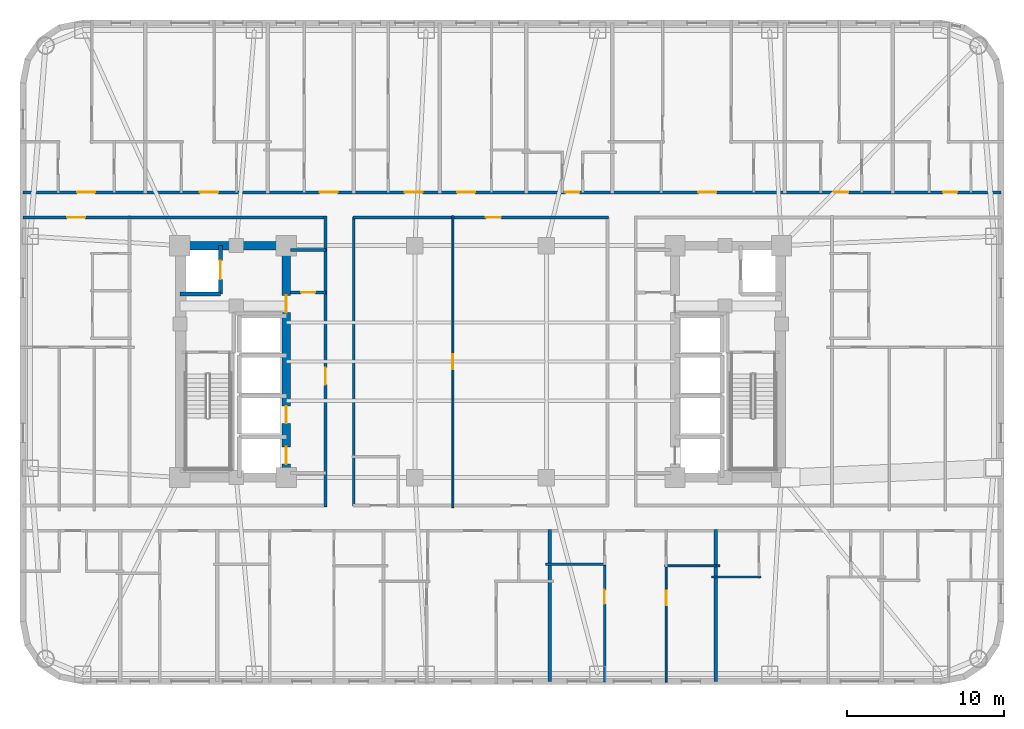
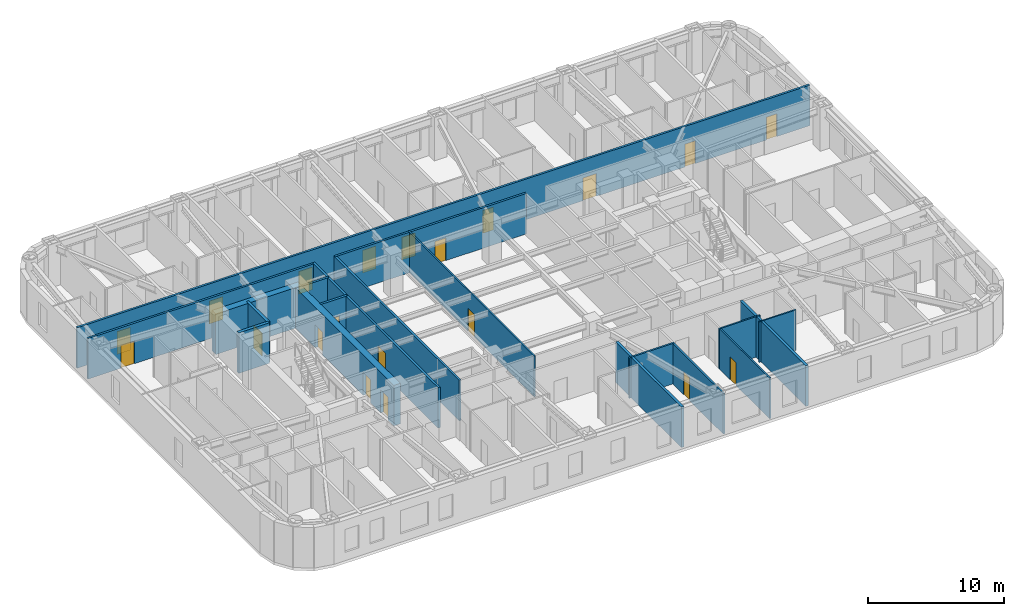
# One storey, part 5 of 12: 20 doors, 19 walls, 20 openings.
"""IFC4 building model written with IfcOpenShell, lengths in metres."""

import ifcopenshell
import ifcopenshell.guid

model = None  # the IFC model being written
_history = None  # IfcOwnerHistory: only IFC2X3 demands one
_inside = {}  # id of a spatial element -> (the spatial element, [elements in it])
_under = {}  # id of a project, library or spatial element -> (it, [spatial elements below it])
_declared = {}  # id of a project -> (the project, [libraries it declares])
_typed = {}  # id of a type object -> (the type object, [elements of that type])
_made_of = {}  # id of a material, layer set ... -> (it, [elements and type objects made of it])


def new_model(schema):
    """Start an empty IFC model of exactly this schema.

    Asked for "IFC4X3", IfcOpenShell would pick the latest addendum, in which some entities
    have other attributes; the version numbers below select the first issue.
    IFC2X3 requires an IfcOwnerHistory on every rooted entity: one is made here for all.
    """
    global model, _history
    if schema == "IFC4X3":
        model = ifcopenshell.file(schema_version=(4, 3, 0, 0))
    else:
        model = ifcopenshell.file(schema=schema)
    _inside.clear()
    _under.clear()
    _declared.clear()
    _typed.clear()
    _made_of.clear()
    _history = None
    if model.schema == "IFC2X3":
        org = make("IfcOrganization", Name="unknown")
        user = make(
            "IfcPersonAndOrganization",
            ThePerson=make("IfcPerson", FamilyName="unknown"),
            TheOrganization=org,
        )
        app = make(
            "IfcApplication",
            ApplicationDeveloper=org,
            Version="unknown",
            ApplicationFullName="unknown",
            ApplicationIdentifier="unknown",
        )
        _history = make(
            "IfcOwnerHistory",
            OwningUser=user,
            OwningApplication=app,
            ChangeAction="ADDED",
            CreationDate=0,
        )
    return model


def make(cls, **values):
    """One entity of the class cls with the attributes given. An attribute that is None is left unset."""
    return model.create_entity(
        cls, **{name: value for name, value in values.items() if value is not None}
    )


def rooted(cls, **values):
    """An entity with a GlobalId (a new one), such as an element, a storey or a relation."""
    return make(cls, GlobalId=ifcopenshell.guid.new(), OwnerHistory=_history, **values)


def si_unit(unit_type, name, prefix=None):
    """IfcSIUnit, for example si_unit("LENGTHUNIT", "METRE", prefix="MILLI")."""
    return make("IfcSIUnit", UnitType=unit_type, Prefix=prefix, Name=name)


def assignment(units):
    """IfcUnitAssignment: the units of a project."""
    return None if units is None else make("IfcUnitAssignment", Units=units)


def point(xyz):
    """IfcCartesianPoint."""
    return None if xyz is None else make("IfcCartesianPoint", Coordinates=xyz)


def direction(xyz):
    """IfcDirection."""
    return None if xyz is None else make("IfcDirection", DirectionRatios=xyz)


def frame(location, z_axis=None, x_axis=None):
    """IfcAxis2Placement3D, a coordinate frame: its origin and axes. An axis left out is left unset."""
    return make(
        "IfcAxis2Placement3D",
        Location=point(location),
        Axis=direction(z_axis),
        RefDirection=direction(x_axis),
    )


def frame_2d(location, x_axis=None):
    """IfcAxis2Placement2D, a coordinate frame in the plane: its origin and x axis."""
    return make(
        "IfcAxis2Placement2D", Location=point(location), RefDirection=direction(x_axis)
    )


def origin():
    """The frame at (0, 0, 0) with its axes left unset."""
    return frame((0.0, 0.0, 0.0))


def place(relative_to, where):
    """IfcLocalPlacement: puts the frame where relative to a parent placement (None: the world)."""
    return make(
        "IfcLocalPlacement", PlacementRelTo=relative_to, RelativePlacement=where
    )


def context(
    kind, dimensions, precision=None, world=None, true_north=None, identifier=None
):
    """IfcGeometricRepresentationContext, for example the 3D "Model" context."""
    return make(
        "IfcGeometricRepresentationContext",
        ContextIdentifier=identifier,
        ContextType=kind,
        CoordinateSpaceDimension=dimensions,
        Precision=precision,
        WorldCoordinateSystem=world,
        TrueNorth=true_north,
    )


def subcontext(parent, identifier, kind, view, scale=None):
    """IfcGeometricRepresentationSubContext, for example "Body" below "Model"."""
    return make(
        "IfcGeometricRepresentationSubContext",
        ContextIdentifier=identifier,
        ContextType=kind,
        ParentContext=parent,
        TargetScale=scale,
        TargetView=view,
    )


def project(units=None, contexts=None):
    """IfcProject with its units and contexts."""
    return rooted(
        "IfcProject",
        Name="project",
        RepresentationContexts=contexts,
        UnitsInContext=assignment(units),
    )


def spatial(cls, under=None, at=None, **own):
    """A site, building, storey or space (cls), placed at a placement, below another one or the project."""
    s = rooted(cls, ObjectPlacement=at, **own)
    if under is not None:
        _under.setdefault(under.id(), (under, []))[1].append(s)
    return s


def profile(cls, at=None, kind="AREA", **sizes):
    """A parametric profile (cls). Its sizes go by their IFC names, for example OverallWidth=200.0."""
    return make(cls, ProfileType=kind, Position=at, **sizes)


def rectangle(**sizes):
    """IfcRectangleProfileDef."""
    return profile("IfcRectangleProfileDef", **sizes)


def extrude(swept, where, along, depth):
    """IfcExtrudedAreaSolid: the profile swept, set in the frame where, extruded along a direction by depth."""
    return make(
        "IfcExtrudedAreaSolid",
        SweptArea=swept,
        Position=where,
        ExtrudedDirection=direction(along),
        Depth=depth,
    )


def shape(context_of_items, identifier, shape_type, items):
    """IfcShapeRepresentation: the items that make up one representation, for example the "Body"."""
    return make(
        "IfcShapeRepresentation",
        ContextOfItems=context_of_items,
        RepresentationIdentifier=identifier,
        RepresentationType=shape_type,
        Items=items,
    )


def material(Name=None, Category=None):
    """IfcMaterial."""
    return make("IfcMaterial", Name=Name, Category=Category)


def layer(
    of_material, thickness, ventilated=None, Name=None, Category=None, Priority=None
):
    """IfcMaterialLayer: one layer of a wall or slab, of a material (None: an air gap)."""
    return make(
        "IfcMaterialLayer",
        Material=of_material,
        LayerThickness=thickness,
        IsVentilated=ventilated,
        Name=Name,
        Category=Category,
        Priority=Priority,
    )


def layer_set(layers, Name=None):
    """IfcMaterialLayerSet."""
    return make("IfcMaterialLayerSet", MaterialLayers=layers, LayerSetName=Name)


def made_of(thing, what):
    """Note that an element or type object is made of a material, layer set ...; save() writes the relation."""
    if what is not None:
        _made_of.setdefault(what.id(), (what, []))[1].append(thing)
    return thing


def type_object(cls, material=None, **own):
    """A type object (cls), such as IfcWallType, which elements share."""
    return made_of(rooted(cls, **own), material)


def element(
    cls,
    number,
    at=None,
    inside=None,
    cuts=None,
    type_object=None,
    material=None,
    context=None,
    identifier="Body",
    shape_type=None,
    held_by="IfcProductDefinitionShape",
    body=None,
    shapes=None,
    **own,
):
    """One element of the class cls, such as IfcWall. Its Tag is "e" and its number.

    at: its placement. inside: the storey or other place that contains it. cuts: it is an
    opening in that element (IfcRelVoidsElement). A single representation is given by context,
    identifier, shape_type and body (its items); several are given by shapes. held_by: the class
    of the entity that holds the representations. save() writes the other relations.
    """
    e = rooted(cls, Tag="e%d" % number, ObjectPlacement=at, **own)
    if body is not None:
        shapes = [shape(context, identifier, shape_type, body)]
    if shapes is not None:
        e.Representation = make(held_by, Representations=shapes)
    if inside is not None:
        _inside.setdefault(inside.id(), (inside, []))[1].append(e)
    if cuts is not None:
        rooted(
            "IfcRelVoidsElement", RelatingBuildingElement=cuts, RelatedOpeningElement=e
        )
    if type_object is not None:
        _typed.setdefault(type_object.id(), (type_object, []))[1].append(e)
    return made_of(e, material)


def fill(opening, filler):
    """IfcRelFillsElement: the door or window that sits in an opening."""
    return rooted(
        "IfcRelFillsElement",
        RelatingOpeningElement=opening,
        RelatedBuildingElement=filler,
    )


def aggregate(whole, parts):
    """IfcRelAggregates: a whole, such as a stair, and the parts it consists of."""
    return rooted("IfcRelAggregates", RelatingObject=whole, RelatedObjects=parts)


def save(model, path):
    """Write the relations noted so far, then the file.

    IfcRelAggregates (storeys below a building ...), IfcRelContainedInSpatialStructure (elements
    in a storey), IfcRelDefinesByType, IfcRelAssociatesMaterial and IfcRelDeclares: one each for
    every whole, place, type object, material and project.
    """
    for whole, parts in _under.values():
        aggregate(whole, parts)
    for where, things in _inside.values():
        rooted(
            "IfcRelContainedInSpatialStructure",
            RelatedElements=things,
            RelatingStructure=where,
        )
    for kind, things in _typed.values():
        rooted("IfcRelDefinesByType", RelatedObjects=things, RelatingType=kind)
    for what, things in _made_of.values():
        rooted("IfcRelAssociatesMaterial", RelatedObjects=things, RelatingMaterial=what)
    for by, libraries in _declared.values():
        rooted("IfcRelDeclares", RelatingContext=by, RelatedDefinitions=libraries)
    model.write(path)


model = new_model("IFC4")

# Units and contexts
model_context = context("Model", 3, precision=1e-05, world=origin(), true_north=direction((0.0, 1.0)))
body_context = subcontext(model_context, "Body", "Model", "MODEL_VIEW")
ifc_project = project(units=[si_unit("LENGTHUNIT", "METRE"), si_unit("AREAUNIT", "SQUARE_METRE"), si_unit("VOLUMEUNIT", "CUBIC_METRE"), si_unit("PLANEANGLEUNIT", "RADIAN"), si_unit("MASSUNIT", "GRAM", prefix="KILO")], contexts=[model_context])

# Site, building, storey
site_placement = place(None, origin())
site = spatial("IfcSite", under=ifc_project, at=site_placement, CompositionType="ELEMENT")
building_placement = place(site_placement, origin())
building = spatial("IfcBuilding", under=site, at=building_placement, Name="Voryun Gate Residences", CompositionType="ELEMENT")
storey_placement = place(building_placement, frame((0.0, 0.0, 132.60009765625)))
storey = spatial("IfcBuildingStorey", under=building, at=storey_placement, Name="L32", CompositionType="ELEMENT", Elevation=132.60009765625)

# Wall
ifc_material_1 = material(Name="Concrete C60/75", Category="concrete")
ifc_layer_1 = layer(ifc_material_1, 0.550048828125, Name="CW_CORE_550")
ifc_layer_set_1 = layer_set([ifc_layer_1], Name="Concrete C60/75")
wall_type_1 = type_object("IfcWallType", Name="CW_CORE_550", PredefinedType="SHEAR", material=ifc_layer_set_1)
wall_1_placement = place(storey_placement, frame((-19.47509765625, 7.39990234375, 0.0), z_axis=(0.0, 0.0, 1.0), x_axis=(1.0, 0.0, 0.0)))
element("IfcWall", 1, at=wall_1_placement, inside=storey, type_object=wall_type_1, Name="L32 Core shear wall CW-L32-WN", PredefinedType="SHEAR", context=body_context, shape_type="SweptSolid", body=[
    extrude(rectangle(XDim=7.35009765625, YDim=0.550048828125, at=frame_2d((3.675048828125, 0.0))), origin(), (0.0, 0.0, 1.0), 3.64990234375),
])

# Wall, openings, doors
wall_2_placement = place(storey_placement, frame((-12.39990234375, -7.39990234375, 0.0), z_axis=(0.0, 0.0, 1.0), x_axis=(0.0, 1.0, 0.0)))
wall_2 = element("IfcWall", 2, at=wall_2_placement, inside=storey, type_object=wall_type_1, Name="L32 Core shear wall CW-L32-WE", PredefinedType="SHEAR", context=body_context, shape_type="SweptSolid", body=[
    extrude(rectangle(XDim=14.7998046875, YDim=0.550048828125, at=frame_2d((7.39990234375, 0.0))), origin(), (0.0, 0.0, 1.0), 3.64990234375),
])
opening_1_placement = place(wall_2_placement, frame((0.85009765625, 0.0, 0.0)))
opening_1 = element("IfcOpeningElement", 3, at=opening_1_placement, cuts=wall_2, Name="Opening LD2", PredefinedType="OPENING", context=body_context, shape_type="SweptSolid", body=[
    extrude(rectangle(XDim=1.10009765625, YDim=2.050048828125, at=frame_2d((0.550048828125, 1.02490234375))), frame((0.0, 0.284912109375, 0.0), z_axis=(0.0, -1.0, 0.0), x_axis=(1.0, 0.0, 0.0)), (0.0, 0.0, 1.0), 0.570068359375),
])
opening_2_placement = place(wall_2_placement, frame((3.449951171875, 0.0, 0.0)))
opening_2 = element("IfcOpeningElement", 4, at=opening_2_placement, cuts=wall_2, Name="Opening LD2", PredefinedType="OPENING", context=body_context, shape_type="SweptSolid", body=[
    extrude(rectangle(XDim=1.10009765625, YDim=2.050048828125, at=frame_2d((0.550048828125, 1.02490234375))), frame((0.0, 0.284912109375, 0.0), z_axis=(0.0, -1.0, 0.0), x_axis=(1.0, 0.0, 0.0)), (0.0, 0.0, 1.0), 0.570068359375),
])
opening_3_placement = place(wall_2_placement, frame((10.530029296875, 0.0, 0.0)))
opening_3 = element("IfcOpeningElement", 5, at=opening_3_placement, cuts=wall_2, Name="Opening D-FD60-2", PredefinedType="OPENING", context=body_context, shape_type="SweptSolid", body=[
    extrude(rectangle(XDim=1.10009765625, YDim=2.050048828125, at=frame_2d((0.550048828125, 1.02490234375))), frame((0.0, 0.284912109375, 0.0), z_axis=(0.0, -1.0, 0.0), x_axis=(1.0, 0.0, 0.0)), (0.0, 0.0, 1.0), 0.570068359375),
])
ifc_material_2 = material(Name="Painted steel fire door", Category="steel")
door_type_1 = type_object("IfcDoorType", Name="DR_FD60_FFLOB_1100", OperationType="NOTDEFINED", PredefinedType="DOOR", material=ifc_material_2)
door_1_placement = place(opening_3_placement, origin())
door_1 = element("IfcDoor", 6, at=door_1_placement, inside=storey, type_object=door_type_1, Name="Door DR-L32-CLOB-W", OperationType="SINGLE_SWING_LEFT", OverallHeight=2.050048828125, OverallWidth=1.10009765625, PredefinedType="DOOR", context=body_context, shape_type="SweptSolid", body=[
    extrude(rectangle(XDim=1.10009765625, YDim=2.050048828125, at=frame_2d((0.550048828125, 1.02490234375))), frame((0.0, 0.02490234375, 0.0), z_axis=(0.0, -1.0, 0.0), x_axis=(1.0, 0.0, 0.0)), (0.0, 0.0, 1.0), 0.050048828125),
])
fill(opening_3, door_1)
ifc_material_3 = material(Name="Anodised aluminium", Category="aluminium")
door_type_2 = type_object("IfcDoorType", Name="DR_LD_PASS_1100", OperationType="NOTDEFINED", PredefinedType="DOOR", material=ifc_material_3)
door_2_placement = place(opening_1_placement, origin())
door_2 = element("IfcDoor", 7, at=door_2_placement, inside=storey, type_object=door_type_2, Name="Lift EL-P1 sliding landing door L32", OperationType="SLIDING_TO_LEFT", OverallHeight=2.050048828125, OverallWidth=1.10009765625, PredefinedType="DOOR", context=body_context, shape_type="SweptSolid", body=[
    extrude(rectangle(XDim=1.10009765625, YDim=2.050048828125, at=frame_2d((0.550048828125, 1.02490234375))), frame((0.0, 0.02490234375, 0.0), z_axis=(0.0, -1.0, 0.0), x_axis=(1.0, 0.0, 0.0)), (0.0, 0.0, 1.0), 0.050048828125),
])
fill(opening_1, door_2)
door_3_placement = place(opening_2_placement, origin())
door_3 = element("IfcDoor", 8, at=door_3_placement, inside=storey, type_object=door_type_2, Name="Lift EL-P2 sliding landing door L32", OperationType="SLIDING_TO_LEFT", OverallHeight=2.050048828125, OverallWidth=1.10009765625, PredefinedType="DOOR", context=body_context, shape_type="SweptSolid", body=[
    extrude(rectangle(XDim=1.10009765625, YDim=2.050048828125, at=frame_2d((0.550048828125, 1.02490234375))), frame((0.0, 0.02490234375, 0.0), z_axis=(0.0, -1.0, 0.0), x_axis=(1.0, 0.0, 0.0)), (0.0, 0.0, 1.0), 0.050048828125),
])
fill(opening_2, door_3)

# Wall
ifc_material_4 = material(Name="Gypsum acoustic fireboard")
ifc_layer_2 = layer(ifc_material_4, 0.179931640625, Name="W_CORR_RATED_180")
ifc_layer_set_2 = layer_set([ifc_layer_2], Name="Gypsum acoustic fireboard")
wall_type_2 = type_object("IfcWallType", Name="W_CORR_RATED_180", PredefinedType="PARTITIONING", material=ifc_layer_set_2)
wall_3_placement = place(storey_placement, frame((-12.14990234375, 7.1201171875, 0.0), z_axis=(0.0, 0.0, 1.0), x_axis=(1.0, 0.0, 0.0)))
element("IfcWall", 9, at=wall_3_placement, inside=storey, type_object=wall_type_2, Name="Partition wall WP-L32-PLBN-W", PredefinedType="PARTITIONING", context=body_context, shape_type="SweptSolid", body=[
    extrude(rectangle(XDim=2.27001953125, YDim=0.179931640625, at=frame_2d((1.135009765625, 0.0))), origin(), (0.0, 0.0, 1.0), 3.64990234375),
])

# Wall, opening, door
wall_4_placement = place(storey_placement, frame((-9.89990234375, -9.280029296875, 0.0), z_axis=(0.0, 0.0, 1.0), x_axis=(0.0, 1.0, 0.0)))
wall_4 = element("IfcWall", 10, at=wall_4_placement, inside=storey, type_object=wall_type_2, Name="Partition wall WP-L32-PLBW-FULL", PredefinedType="PARTITIONING", context=body_context, shape_type="SweptSolid", body=[
    extrude(rectangle(XDim=18.56005859375, YDim=0.179931640625, at=frame_2d((9.280029296875, 0.0))), origin(), (0.0, 0.0, 1.0), 3.64990234375),
])
opening_4_placement = place(wall_4_placement, frame((7.802001953125, 0.0, 0.0)))
opening_4 = element("IfcOpeningElement", 11, at=opening_4_placement, cuts=wall_4, Name="Opening D-FD60-2", PredefinedType="OPENING", context=body_context, shape_type="SweptSolid", body=[
    extrude(rectangle(XDim=1.10009765625, YDim=2.050048828125, at=frame_2d((0.550048828125, 1.02490234375))), frame((0.0, 0.099853515625, 0.0), z_axis=(0.0, -1.0, 0.0), x_axis=(1.0, 0.0, 0.0)), (0.0, 0.0, 1.0), 0.199951171875),
])
door_4_placement = place(opening_4_placement, origin())
door_4 = element("IfcDoor", 12, at=door_4_placement, inside=storey, type_object=door_type_1, Name="Door DR-L32-PLBW-COR", OperationType="SINGLE_SWING_LEFT", OverallHeight=2.050048828125, OverallWidth=1.10009765625, PredefinedType="DOOR", context=body_context, shape_type="SweptSolid", body=[
    extrude(rectangle(XDim=1.10009765625, YDim=2.050048828125, at=frame_2d((0.550048828125, 1.02490234375))), frame((0.0, 0.02490234375, 0.0), z_axis=(0.0, -1.0, 0.0), x_axis=(1.0, 0.0, 0.0)), (0.0, 0.0, 1.0), 0.050048828125),
])
fill(opening_4, door_4)

wall_5_placement = place(storey_placement, frame((-29.2099609375, 9.18994140625, 0.0), z_axis=(0.0, 0.0, 1.0), x_axis=(1.0, 0.0, 0.0)))
wall_5 = element("IfcWall", 13, at=wall_5_placement, inside=storey, type_object=wall_type_2, Name="Partition wall WP-L32-CWING-WN", PredefinedType="PARTITIONING", context=body_context, shape_type="SweptSolid", body=[
    extrude(rectangle(XDim=19.330078125, YDim=0.179931640625, at=frame_2d((9.6650390625, 0.0))), origin(), (0.0, 0.0, 1.0), 3.64990234375),
])
opening_5_placement = place(wall_5_placement, frame((2.8154296875, 0.0, 0.0)))
opening_5 = element("IfcOpeningElement", 14, at=opening_5_placement, cuts=wall_5, Name="Opening D-UNIT-1", PredefinedType="OPENING", context=body_context, shape_type="SweptSolid", body=[
    extrude(rectangle(XDim=1.14990234375, YDim=2.050048828125, at=frame_2d((0.574951171875, 1.02490234375))), frame((0.0, 0.099853515625, 0.0), z_axis=(0.0, -1.0, 0.0), x_axis=(1.0, 0.0, 0.0)), (0.0, 0.0, 1.0), 0.199951171875),
])
ifc_material_5 = material(Name="Armoured timber-clad fire door", Category="wood")
door_type_3 = type_object("IfcDoorType", Name="DR_UNIT_ENTRY_1150", OperationType="NOTDEFINED", PredefinedType="DOOR", material=ifc_material_5)
door_5_placement = place(opening_5_placement, origin())
door_5 = element("IfcDoor", 15, at=door_5_placement, inside=storey, type_object=door_type_3, Name="Door DR-L32-WE1N", OperationType="SINGLE_SWING_LEFT", OverallHeight=2.050048828125, OverallWidth=1.14990234375, PredefinedType="DOOR", context=body_context, shape_type="SweptSolid", body=[
    extrude(rectangle(XDim=1.14990234375, YDim=2.050048828125, at=frame_2d((0.574951171875, 1.02490234375))), frame((0.0, 0.02490234375, 0.0), z_axis=(0.0, -1.0, 0.0), x_axis=(1.0, 0.0, 0.0)), (0.0, 0.0, 1.0), 0.050048828125),
])
fill(opening_5, door_5)

wall_6_placement = place(storey_placement, frame((-8.14990234375, 9.18994140625, 0.0), z_axis=(0.0, 0.0, 1.0), x_axis=(1.0, 0.0, 0.0)))
wall_6 = element("IfcWall", 16, at=wall_6_placement, inside=storey, type_object=wall_type_2, Name="Partition wall WP-L32-Z1N", PredefinedType="PARTITIONING", context=body_context, shape_type="SweptSolid", body=[
    extrude(rectangle(XDim=16.2998046875, YDim=0.179931640625, at=frame_2d((8.14990234375, 0.0))), origin(), (0.0, 0.0, 1.0), 3.64990234375),
])
opening_6_placement = place(wall_6_placement, frame((8.489990234375, 0.0, 0.0)))
opening_6 = element("IfcOpeningElement", 17, at=opening_6_placement, cuts=wall_6, Name="Opening D-INT-1", PredefinedType="OPENING", context=body_context, shape_type="SweptSolid", body=[
    extrude(rectangle(XDim=0.949951171875, YDim=2.050048828125, at=frame_2d((0.47509765625, 1.02490234375))), frame((0.0, 0.099853515625, 0.0), z_axis=(0.0, -1.0, 0.0), x_axis=(1.0, 0.0, 0.0)), (0.0, 0.0, 1.0), 0.199951171875),
])
ifc_material_6 = material(Name="Architectural oak veneer")
door_type_4 = type_object("IfcDoorType", Name="DR_INT_ROOM_950", OperationType="NOTDEFINED", PredefinedType="DOOR", material=ifc_material_6)
door_6_placement = place(opening_6_placement, origin())
door_6 = element("IfcDoor", 18, at=door_6_placement, inside=storey, type_object=door_type_4, Name="Door DR-L32-CMIDZ1N", OperationType="SINGLE_SWING_LEFT", OverallHeight=2.050048828125, OverallWidth=0.949951171875, PredefinedType="DOOR", context=body_context, shape_type="SweptSolid", body=[
    extrude(rectangle(XDim=0.949951171875, YDim=2.050048828125, at=frame_2d((0.47509765625, 1.02490234375))), frame((0.0, 0.02490234375, 0.0), z_axis=(0.0, -1.0, 0.0), x_axis=(1.0, 0.0, 0.0)), (0.0, 0.0, 1.0), 0.050048828125),
])
fill(opening_6, door_6)

# Wall
wall_7_placement = place(storey_placement, frame((-8.10009765625, -9.22998046875, 0.0), z_axis=(0.0, 0.0, 1.0), x_axis=(0.0, 1.0, 0.0)))
element("IfcWall", 19, at=wall_7_placement, inside=storey, type_object=wall_type_2, Name="Partition wall WP-L32-Z1W", PredefinedType="PARTITIONING", context=body_context, shape_type="SweptSolid", body=[
    extrude(rectangle(XDim=18.4599609375, YDim=0.179931640625, at=frame_2d((9.22998046875, 0.0))), origin(), (0.0, 0.0, 1.0), 3.64990234375),
])

# Wall, openings, doors
wall_8_placement = place(storey_placement, frame((-29.2099609375, 10.800048828125, 0.0), z_axis=(0.0, 0.0, 1.0), x_axis=(1.0, 0.0, 0.0)))
wall_8 = element("IfcWall", 20, at=wall_8_placement, inside=storey, type_object=wall_type_2, Name="Partition wall WP-L32-NCORR", PredefinedType="PARTITIONING", context=body_context, shape_type="SweptSolid", body=[
    extrude(rectangle(XDim=62.419921875, YDim=0.179931640625, at=frame_2d((31.2099609375, 0.0))), origin(), (0.0, 0.0, 1.0), 3.64990234375),
])
opening_7_placement = place(wall_8_placement, frame((3.457275390625, 0.0, 0.0)))
opening_7 = element("IfcOpeningElement", 21, at=opening_7_placement, cuts=wall_8, Name="Opening D-UNIT-1", PredefinedType="OPENING", context=body_context, shape_type="SweptSolid", body=[
    extrude(rectangle(XDim=1.14990234375, YDim=2.050048828125, at=frame_2d((0.574951171875, 1.02490234375))), frame((0.0, 0.099853515625, 0.0), z_axis=(0.0, -1.0, 0.0), x_axis=(1.0, 0.0, 0.0)), (0.0, 0.0, 1.0), 0.199951171875),
])
opening_8_placement = place(wall_8_placement, frame((11.29736328125, 0.0, 0.0)))
opening_8 = element("IfcOpeningElement", 22, at=opening_8_placement, cuts=wall_8, Name="Opening D-UNIT-1", PredefinedType="OPENING", context=body_context, shape_type="SweptSolid", body=[
    extrude(rectangle(XDim=1.14990234375, YDim=2.050048828125, at=frame_2d((0.574951171875, 1.02490234375))), frame((0.0, 0.099853515625, 0.0), z_axis=(0.0, -1.0, 0.0), x_axis=(1.0, 0.0, 0.0)), (0.0, 0.0, 1.0), 0.199951171875),
])
opening_9_placement = place(wall_8_placement, frame((18.925048828125, 0.0, 0.0)))
opening_9 = element("IfcOpeningElement", 23, at=opening_9_placement, cuts=wall_8, Name="Opening D-UNIT-1", PredefinedType="OPENING", context=body_context, shape_type="SweptSolid", body=[
    extrude(rectangle(XDim=1.14990234375, YDim=2.050048828125, at=frame_2d((0.574951171875, 1.02490234375))), frame((0.0, 0.099853515625, 0.0), z_axis=(0.0, -1.0, 0.0), x_axis=(1.0, 0.0, 0.0)), (0.0, 0.0, 1.0), 0.199951171875),
])
opening_10_placement = place(wall_8_placement, frame((24.36181640625, 0.0, 0.0)))
opening_10 = element("IfcOpeningElement", 24, at=opening_10_placement, cuts=wall_8, Name="Opening D-UNIT-1", PredefinedType="OPENING", context=body_context, shape_type="SweptSolid", body=[
    extrude(rectangle(XDim=1.14990234375, YDim=2.050048828125, at=frame_2d((0.574951171875, 1.02490234375))), frame((0.0, 0.099853515625, 0.0), z_axis=(0.0, -1.0, 0.0), x_axis=(1.0, 0.0, 0.0)), (0.0, 0.0, 1.0), 0.199951171875),
])
opening_11_placement = place(wall_8_placement, frame((27.70751953125, 0.0, 0.0)))
opening_11 = element("IfcOpeningElement", 25, at=opening_11_placement, cuts=wall_8, Name="Opening D-UNIT-1", PredefinedType="OPENING", context=body_context, shape_type="SweptSolid", body=[
    extrude(rectangle(XDim=1.14990234375, YDim=2.050048828125, at=frame_2d((0.574951171875, 1.02490234375))), frame((0.0, 0.099853515625, 0.0), z_axis=(0.0, -1.0, 0.0), x_axis=(1.0, 0.0, 0.0)), (0.0, 0.0, 1.0), 0.199951171875),
])
opening_12_placement = place(wall_8_placement, frame((34.61767578125, 0.0, 0.0)))
opening_12 = element("IfcOpeningElement", 26, at=opening_12_placement, cuts=wall_8, Name="Opening D-INT-2", PredefinedType="OPENING", context=body_context, shape_type="SweptSolid", body=[
    extrude(rectangle(XDim=0.89990234375, YDim=2.050048828125, at=frame_2d((0.449951171875, 1.02490234375))), frame((0.0, 0.099853515625, 0.0), z_axis=(0.0, -1.0, 0.0), x_axis=(1.0, 0.0, 0.0)), (0.0, 0.0, 1.0), 0.199951171875),
])
opening_13_placement = place(wall_8_placement, frame((43.1064453125, 0.0, 0.0)))
opening_13 = element("IfcOpeningElement", 27, at=opening_13_placement, cuts=wall_8, Name="Opening D-UNIT-1", PredefinedType="OPENING", context=body_context, shape_type="SweptSolid", body=[
    extrude(rectangle(XDim=1.14990234375, YDim=2.050048828125, at=frame_2d((0.574951171875, 1.02490234375))), frame((0.0, 0.099853515625, 0.0), z_axis=(0.0, -1.0, 0.0), x_axis=(1.0, 0.0, 0.0)), (0.0, 0.0, 1.0), 0.199951171875),
])
opening_14_placement = place(wall_8_placement, frame((51.77685546875, 0.0, 0.0)))
opening_14 = element("IfcOpeningElement", 28, at=opening_14_placement, cuts=wall_8, Name="Opening D-INT-2", PredefinedType="OPENING", context=body_context, shape_type="SweptSolid", body=[
    extrude(rectangle(XDim=0.89990234375, YDim=2.050048828125, at=frame_2d((0.449951171875, 1.02490234375))), frame((0.0, 0.099853515625, 0.0), z_axis=(0.0, -1.0, 0.0), x_axis=(1.0, 0.0, 0.0)), (0.0, 0.0, 1.0), 0.199951171875),
])
opening_15_placement = place(wall_8_placement, frame((58.718017578125, 0.0, 0.0)))
opening_15 = element("IfcOpeningElement", 29, at=opening_15_placement, cuts=wall_8, Name="Opening D-INT-2", PredefinedType="OPENING", context=body_context, shape_type="SweptSolid", body=[
    extrude(rectangle(XDim=0.89990234375, YDim=2.050048828125, at=frame_2d((0.449951171875, 1.02490234375))), frame((0.0, 0.099853515625, 0.0), z_axis=(0.0, -1.0, 0.0), x_axis=(1.0, 0.0, 0.0)), (0.0, 0.0, 1.0), 0.199951171875),
])
ifc_material_7 = material(Name="Architectural oak veneer")
door_type_5 = type_object("IfcDoorType", Name="DR_INT_BATH_900", OperationType="NOTDEFINED", PredefinedType="DOOR", material=ifc_material_7)
door_7_placement = place(opening_12_placement, origin())
door_7 = element("IfcDoor", 30, at=door_7_placement, inside=storey, type_object=door_type_5, Name="Door DR-L32-NENT-6", OperationType="SINGLE_SWING_RIGHT", OverallHeight=2.050048828125, OverallWidth=0.89990234375, PredefinedType="DOOR", context=body_context, shape_type="SweptSolid", body=[
    extrude(rectangle(XDim=0.89990234375, YDim=2.050048828125, at=frame_2d((0.449951171875, 1.02490234375))), frame((0.0, 0.02490234375, 0.0), z_axis=(0.0, -1.0, 0.0), x_axis=(1.0, 0.0, 0.0)), (0.0, 0.0, 1.0), 0.050048828125),
])
fill(opening_12, door_7)
door_8_placement = place(opening_14_placement, origin())
door_8 = element("IfcDoor", 31, at=door_8_placement, inside=storey, type_object=door_type_5, Name="Door DR-L32-NENT-8", OperationType="SINGLE_SWING_RIGHT", OverallHeight=2.050048828125, OverallWidth=0.89990234375, PredefinedType="DOOR", context=body_context, shape_type="SweptSolid", body=[
    extrude(rectangle(XDim=0.89990234375, YDim=2.050048828125, at=frame_2d((0.449951171875, 1.02490234375))), frame((0.0, 0.02490234375, 0.0), z_axis=(0.0, -1.0, 0.0), x_axis=(1.0, 0.0, 0.0)), (0.0, 0.0, 1.0), 0.050048828125),
])
fill(opening_14, door_8)
door_9_placement = place(opening_15_placement, origin())
door_9 = element("IfcDoor", 32, at=door_9_placement, inside=storey, type_object=door_type_5, Name="Door DR-L32-NENT-9", OperationType="SINGLE_SWING_LEFT", OverallHeight=2.050048828125, OverallWidth=0.89990234375, PredefinedType="DOOR", context=body_context, shape_type="SweptSolid", body=[
    extrude(rectangle(XDim=0.89990234375, YDim=2.050048828125, at=frame_2d((0.449951171875, 1.02490234375))), frame((0.0, 0.02490234375, 0.0), z_axis=(0.0, -1.0, 0.0), x_axis=(1.0, 0.0, 0.0)), (0.0, 0.0, 1.0), 0.050048828125),
])
fill(opening_15, door_9)
door_10_placement = place(opening_7_placement, origin())
door_10 = element("IfcDoor", 33, at=door_10_placement, inside=storey, type_object=door_type_3, Name="Door DR-L32-NENT-1", OperationType="SINGLE_SWING_LEFT", OverallHeight=2.050048828125, OverallWidth=1.14990234375, PredefinedType="DOOR", context=body_context, shape_type="SweptSolid", body=[
    extrude(rectangle(XDim=1.14990234375, YDim=2.050048828125, at=frame_2d((0.574951171875, 1.02490234375))), frame((0.0, 0.02490234375, 0.0), z_axis=(0.0, -1.0, 0.0), x_axis=(1.0, 0.0, 0.0)), (0.0, 0.0, 1.0), 0.050048828125),
])
fill(opening_7, door_10)
door_11_placement = place(opening_8_placement, origin())
door_11 = element("IfcDoor", 34, at=door_11_placement, inside=storey, type_object=door_type_3, Name="Door DR-L32-NENT-2", OperationType="SINGLE_SWING_RIGHT", OverallHeight=2.050048828125, OverallWidth=1.14990234375, PredefinedType="DOOR", context=body_context, shape_type="SweptSolid", body=[
    extrude(rectangle(XDim=1.14990234375, YDim=2.050048828125, at=frame_2d((0.574951171875, 1.02490234375))), frame((0.0, 0.02490234375, 0.0), z_axis=(0.0, -1.0, 0.0), x_axis=(1.0, 0.0, 0.0)), (0.0, 0.0, 1.0), 0.050048828125),
])
fill(opening_8, door_11)
door_12_placement = place(opening_9_placement, origin())
door_12 = element("IfcDoor", 35, at=door_12_placement, inside=storey, type_object=door_type_3, Name="Door DR-L32-NENT-3", OperationType="SINGLE_SWING_LEFT", OverallHeight=2.050048828125, OverallWidth=1.14990234375, PredefinedType="DOOR", context=body_context, shape_type="SweptSolid", body=[
    extrude(rectangle(XDim=1.14990234375, YDim=2.050048828125, at=frame_2d((0.574951171875, 1.02490234375))), frame((0.0, 0.02490234375, 0.0), z_axis=(0.0, -1.0, 0.0), x_axis=(1.0, 0.0, 0.0)), (0.0, 0.0, 1.0), 0.050048828125),
])
fill(opening_9, door_12)
door_13_placement = place(opening_10_placement, origin())
door_13 = element("IfcDoor", 36, at=door_13_placement, inside=storey, type_object=door_type_3, Name="Door DR-L32-NENT-4", OperationType="SINGLE_SWING_RIGHT", OverallHeight=2.050048828125, OverallWidth=1.14990234375, PredefinedType="DOOR", context=body_context, shape_type="SweptSolid", body=[
    extrude(rectangle(XDim=1.14990234375, YDim=2.050048828125, at=frame_2d((0.574951171875, 1.02490234375))), frame((0.0, 0.02490234375, 0.0), z_axis=(0.0, -1.0, 0.0), x_axis=(1.0, 0.0, 0.0)), (0.0, 0.0, 1.0), 0.050048828125),
])
fill(opening_10, door_13)
door_14_placement = place(opening_11_placement, origin())
door_14 = element("IfcDoor", 37, at=door_14_placement, inside=storey, type_object=door_type_3, Name="Door DR-L32-NENT-5", OperationType="SINGLE_SWING_LEFT", OverallHeight=2.050048828125, OverallWidth=1.14990234375, PredefinedType="DOOR", context=body_context, shape_type="SweptSolid", body=[
    extrude(rectangle(XDim=1.14990234375, YDim=2.050048828125, at=frame_2d((0.574951171875, 1.02490234375))), frame((0.0, 0.02490234375, 0.0), z_axis=(0.0, -1.0, 0.0), x_axis=(1.0, 0.0, 0.0)), (0.0, 0.0, 1.0), 0.050048828125),
])
fill(opening_11, door_14)
door_15_placement = place(opening_13_placement, origin())
door_15 = element("IfcDoor", 38, at=door_15_placement, inside=storey, type_object=door_type_3, Name="Door DR-L32-NENT-7", OperationType="SINGLE_SWING_LEFT", OverallHeight=2.050048828125, OverallWidth=1.14990234375, PredefinedType="DOOR", context=body_context, shape_type="SweptSolid", body=[
    extrude(rectangle(XDim=1.14990234375, YDim=2.050048828125, at=frame_2d((0.574951171875, 1.02490234375))), frame((0.0, 0.02490234375, 0.0), z_axis=(0.0, -1.0, 0.0), x_axis=(1.0, 0.0, 0.0)), (0.0, 0.0, 1.0), 0.050048828125),
])
fill(opening_13, door_15)

# Wall, opening, door
ifc_material_8 = material(Name="Concrete C40/50", Category="concrete")
ifc_layer_3 = layer(ifc_material_8, 0.199951171875, Name="W_FF_LOBBY_200")
ifc_layer_set_3 = layer_set([ifc_layer_3], Name="Concrete C40/50")
wall_type_3 = type_object("IfcWallType", Name="W_FF_LOBBY_200", PredefinedType="PARTITIONING", material=ifc_layer_set_3)
wall_9_placement = place(storey_placement, frame((-12.14990234375, 4.409912109375, 0.0), z_axis=(0.0, 0.0, 1.0), x_axis=(1.0, 0.0, 0.0)))
wall_9 = element("IfcWall", 39, at=wall_9_placement, inside=storey, type_object=wall_type_3, Name="Partition wall WP-L32-CSFLKS-W", PredefinedType="PARTITIONING", context=body_context, shape_type="SweptSolid", body=[
    extrude(rectangle(XDim=2.27001953125, YDim=0.199951171875, at=frame_2d((1.135009765625, 0.0))), origin(), (0.0, 0.0, 1.0), 3.64990234375),
])
opening_16_placement = place(wall_9_placement, frame((0.68505859375, 0.0, 0.0)))
opening_16 = element("IfcOpeningElement", 40, at=opening_16_placement, cuts=wall_9, Name="Opening D-FD60-4", PredefinedType="OPENING", context=body_context, shape_type="SweptSolid", body=[
    extrude(rectangle(XDim=0.89990234375, YDim=2.050048828125, at=frame_2d((0.449951171875, 1.02490234375))), frame((0.0, 0.110107421875, 0.0), z_axis=(0.0, -1.0, 0.0), x_axis=(1.0, 0.0, 0.0)), (0.0, 0.0, 1.0), 0.219970703125),
])
ifc_material_9 = material(Name="Painted steel fire door", Category="steel")
door_type_6 = type_object("IfcDoorType", Name="DR_FD60_RISER_900", OperationType="NOTDEFINED", PredefinedType="DOOR", material=ifc_material_9)
door_16_placement = place(opening_16_placement, origin())
door_16 = element("IfcDoor", 41, at=door_16_placement, inside=storey, type_object=door_type_6, Name="Door DR-L32-CSFLK-W", OperationType="SINGLE_SWING_LEFT", OverallHeight=2.050048828125, OverallWidth=0.89990234375, PredefinedType="DOOR", context=body_context, shape_type="SweptSolid", body=[
    extrude(rectangle(XDim=0.89990234375, YDim=2.050048828125, at=frame_2d((0.449951171875, 1.02490234375))), frame((0.0, 0.02490234375, 0.0), z_axis=(0.0, -1.0, 0.0), x_axis=(1.0, 0.0, 0.0)), (0.0, 0.0, 1.0), 0.050048828125),
])
fill(opening_16, door_16)

# Walls
ifc_material_10 = material(Name="Concrete C40/50", Category="concrete")
ifc_layer_4 = layer(ifc_material_10, 0.219970703125, Name="W_PARTY_ACOUSTIC_220")
ifc_layer_set_4 = layer_set([ifc_layer_4], Name="Concrete C40/50")
wall_type_4 = type_object("IfcWallType", Name="W_PARTY_ACOUSTIC_220", PredefinedType="PARTITIONING", material=ifc_layer_set_4)
for number, where, z_axis, x_axis, name in (
    (42, (4.39990234375, -20.409912109375, 0.0), (0.0, 0.0, 1.0), (0.0, 1.0, 0.0), "Partition wall WP-L32-SPTY-4"),
    (43, (15.0, -20.409912109375, 0.0), (0.0, 0.0, 1.0), (0.0, 1.0, 0.0), "Partition wall WP-L32-SPTY-5"),
):
    element("IfcWall", number, at=place(storey_placement, frame(where, z_axis=z_axis, x_axis=x_axis)), inside=storey, type_object=wall_type_4, Name=name, PredefinedType="PARTITIONING", context=body_context, shape_type="SweptSolid", body=[
        extrude(rectangle(XDim=9.68994140625, YDim=0.219970703125, at=frame_2d((4.844970703125, 0.0))), origin(), (0.0, 0.0, 1.0), 3.64990234375),
    ])
ifc_material_11 = material(Name="Concrete C50/60", Category="concrete")
ifc_layer_5 = layer(ifc_material_11, 0.25, Name="W_SHAFT_RC250")
ifc_layer_set_5 = layer_set([ifc_layer_5], Name="Concrete C50/60")
wall_type_5 = type_object("IfcWallType", Name="W_SHAFT_RC250", PredefinedType="SOLIDWALL", material=ifc_layer_set_5)
wall_10_placement = place(storey_placement, frame((-19.199951171875, 4.300048828125, 0.0), z_axis=(0.0, 0.0, 1.0), x_axis=(1.0, 0.0, 0.0)))
element("IfcWall", 44, at=wall_10_placement, inside=storey, type_object=wall_type_5, Name="Lift shaft wall WSH-L32-EL-FF-W1-S", PredefinedType="SOLIDWALL", context=body_context, shape_type="SweptSolid", body=[
    extrude(rectangle(XDim=2.599853515625, YDim=0.25, at=frame_2d((1.2998046875, 0.0))), origin(), (0.0, 0.0, 1.0), 3.64990234375),
])

# Wall, opening, door
wall_11_placement = place(storey_placement, frame((-16.60009765625, 4.300048828125, 0.0), z_axis=(0.0, 0.0, 1.0), x_axis=(0.0, 1.0, 0.0)))
wall_11 = element("IfcWall", 45, at=wall_11_placement, inside=storey, type_object=wall_type_5, Name="Lift shaft wall WSH-L32-EL-FF-W1-E", PredefinedType="SOLIDWALL", context=body_context, shape_type="SweptSolid", body=[
    extrude(rectangle(XDim=3.099853515625, YDim=0.25, at=frame_2d((1.5498046875, 0.0))), origin(), (0.0, 0.0, 1.0), 3.64990234375),
])
opening_17_placement = place(wall_11_placement, frame((0.949951171875, 0.0, 0.0)))
opening_17 = element("IfcOpeningElement", 46, at=opening_17_placement, cuts=wall_11, Name="Opening LD1", PredefinedType="OPENING", context=body_context, shape_type="SweptSolid", body=[
    extrude(rectangle(XDim=1.199951171875, YDim=2.050048828125, at=frame_2d((0.60009765625, 1.02490234375))), frame((0.0, 0.135009765625, 0.0), z_axis=(0.0, -1.0, 0.0), x_axis=(1.0, 0.0, 0.0)), (0.0, 0.0, 1.0), 0.27001953125),
])
ifc_material_12 = material(Name="Anodised aluminium", Category="aluminium")
door_type_7 = type_object("IfcDoorType", Name="DR_LD_FF_1200", OperationType="NOTDEFINED", PredefinedType="DOOR", material=ifc_material_12)
door_17_placement = place(opening_17_placement, origin())
door_17 = element("IfcDoor", 47, at=door_17_placement, inside=storey, type_object=door_type_7, Name="Lift EL-FF-W1 sliding landing door L32", OperationType="SLIDING_TO_LEFT", OverallHeight=2.050048828125, OverallWidth=1.199951171875, PredefinedType="DOOR", context=body_context, shape_type="SweptSolid", body=[
    extrude(rectangle(XDim=1.199951171875, YDim=2.050048828125, at=frame_2d((0.60009765625, 1.02490234375))), frame((0.0, 0.02490234375, 0.0), z_axis=(0.0, -1.0, 0.0), x_axis=(1.0, 0.0, 0.0)), (0.0, 0.0, 1.0), 0.050048828125),
])
fill(opening_17, door_17)

ifc_material_13 = material(Name="Gypsum acoustic partition")
ifc_layer_6 = layer(ifc_material_13, 0.125, Name="W_UNIT_PART_125")
ifc_layer_set_6 = layer_set([ifc_layer_6], Name="Gypsum acoustic partition")
wall_type_6 = type_object("IfcWallType", Name="W_UNIT_PART_125", PredefinedType="PARTITIONING", material=ifc_layer_set_6)
wall_12_placement = place(storey_placement, frame((-1.77294921875, -9.320068359375, 0.0), z_axis=(0.0, 0.0, 1.0), x_axis=(0.0, 1.0, 0.0)))
wall_12 = element("IfcWall", 48, at=wall_12_placement, inside=storey, type_object=wall_type_6, Name="Partition wall WP-L32-MIDX-0", PredefinedType="PARTITIONING", context=body_context, shape_type="SweptSolid", body=[
    extrude(rectangle(XDim=18.64013671875, YDim=0.125, at=frame_2d((9.320068359375, 0.0))), origin(), (0.0, 0.0, 1.0), 3.64990234375),
])
opening_18_placement = place(wall_12_placement, frame((8.844970703125, 0.0, 0.0)))
opening_18 = element("IfcOpeningElement", 49, at=opening_18_placement, cuts=wall_12, Name="Opening D-INT-1", PredefinedType="OPENING", context=body_context, shape_type="SweptSolid", body=[
    extrude(rectangle(XDim=0.949951171875, YDim=2.050048828125, at=frame_2d((0.47509765625, 1.02490234375))), frame((0.0, 0.072509765625, 0.0), z_axis=(0.0, -1.0, 0.0), x_axis=(1.0, 0.0, 0.0)), (0.0, 0.0, 1.0), 0.14501953125),
])
door_18_placement = place(opening_18_placement, origin())
door_18 = element("IfcDoor", 50, at=door_18_placement, inside=storey, type_object=door_type_4, Name="Door DR-L32-MIDX-0", OperationType="SINGLE_SWING_LEFT", OverallHeight=2.050048828125, OverallWidth=0.949951171875, PredefinedType="DOOR", context=body_context, shape_type="SweptSolid", body=[
    extrude(rectangle(XDim=0.949951171875, YDim=2.050048828125, at=frame_2d((0.47509765625, 1.02490234375))), frame((0.0, 0.02490234375, 0.0), z_axis=(0.0, -1.0, 0.0), x_axis=(1.0, 0.0, 0.0)), (0.0, 0.0, 1.0), 0.050048828125),
])
fill(opening_18, door_18)

# Wall
wall_13_placement = place(storey_placement, frame((11.760009765625, -13.0400390625, 0.0), z_axis=(0.0, 0.0, 1.0), x_axis=(1.0, 0.0, 0.0)))
element("IfcWall", 51, at=wall_13_placement, inside=storey, type_object=wall_type_6, Name="Partition wall WP-L32-S5-RHY", PredefinedType="PARTITIONING", context=body_context, shape_type="SweptSolid", body=[
    extrude(rectangle(XDim=3.5, YDim=0.125, at=frame_2d((1.75, 0.0))), origin(), (0.0, 0.0, 1.0), 3.64990234375),
])

# Wall, opening, door
wall_14_placement = place(storey_placement, frame((11.840087890625, -20.45751953125, 0.0), z_axis=(0.0, 0.0, 1.0), x_axis=(0.0, 1.0, 0.0)))
wall_14 = element("IfcWall", 52, at=wall_14_placement, inside=storey, type_object=wall_type_6, Name="Partition wall WP-L32-S5-RVX1", PredefinedType="PARTITIONING", context=body_context, shape_type="SweptSolid", body=[
    extrude(rectangle(XDim=7.45751953125, YDim=0.125, at=frame_2d((3.728759765625, 0.0))), origin(), (0.0, 0.0, 1.0), 3.64990234375),
])
opening_19_placement = place(wall_14_placement, frame((4.91943359375, 0.0, 0.0)))
opening_19 = element("IfcOpeningElement", 53, at=opening_19_placement, cuts=wall_14, Name="Opening D-INT-2", PredefinedType="OPENING", context=body_context, shape_type="SweptSolid", body=[
    extrude(rectangle(XDim=0.89990234375, YDim=2.050048828125, at=frame_2d((0.449951171875, 1.02490234375))), frame((0.0, 0.072509765625, 0.0), z_axis=(0.0, -1.0, 0.0), x_axis=(1.0, 0.0, 0.0)), (0.0, 0.0, 1.0), 0.14501953125),
])
door_19_placement = place(opening_19_placement, origin())
door_19 = element("IfcDoor", 54, at=door_19_placement, inside=storey, type_object=door_type_5, Name="Door DR-L32-S5-DB2", OperationType="SINGLE_SWING_RIGHT", OverallHeight=2.050048828125, OverallWidth=0.89990234375, PredefinedType="DOOR", context=body_context, shape_type="SweptSolid", body=[
    extrude(rectangle(XDim=0.89990234375, YDim=2.050048828125, at=frame_2d((0.449951171875, 1.02490234375))), frame((0.0, 0.02490234375, 0.0), z_axis=(0.0, -1.0, 0.0), x_axis=(1.0, 0.0, 0.0)), (0.0, 0.0, 1.0), 0.050048828125),
])
fill(opening_19, door_19)

# Walls
wall_15_placement = place(storey_placement, frame((14.739990234375, -13.7470703125, 0.0), z_axis=(0.0, 0.0, 1.0), x_axis=(1.0, 0.0, 0.0)))
element("IfcWall", 55, at=wall_15_placement, inside=storey, type_object=wall_type_6, Name="Partition wall WP-L32-S6-HZK", PredefinedType="PARTITIONING", context=body_context, shape_type="SweptSolid", body=[
    extrude(rectangle(XDim=3.14404296875, YDim=0.125, at=frame_2d((1.572021484375, 0.0))), origin(), (0.0, 0.0, 1.0), 3.64990234375),
])
ifc_material_14 = material(Name="Gypsum moisture-resistant partition")
ifc_layer_7 = layer(ifc_material_14, 0.14990234375, Name="W_WET_PLUMB_150")
ifc_layer_set_7 = layer_set([ifc_layer_7], Name="Gypsum moisture-resistant partition")
wall_type_7 = type_object("IfcWallType", Name="W_WET_PLUMB_150", PredefinedType="PLUMBINGWALL", material=ifc_layer_set_7)
wall_16_placement = place(storey_placement, frame((4.139892578125, -12.93994140625, 0.0), z_axis=(0.0, 0.0, 1.0), x_axis=(1.0, 0.0, 0.0)))
element("IfcWall", 56, at=wall_16_placement, inside=storey, type_object=wall_type_7, Name="Partition wall WP-L32-S5-LHY", PredefinedType="PLUMBINGWALL", context=body_context, shape_type="SweptSolid", body=[
    extrude(rectangle(XDim=3.85009765625, YDim=0.14990234375, at=frame_2d((1.925048828125, 0.0))), origin(), (0.0, 0.0, 1.0), 3.64990234375),
])

# Wall, opening, door
wall_17_placement = place(storey_placement, frame((7.909912109375, -20.45751953125, 0.0), z_axis=(0.0, 0.0, 1.0), x_axis=(0.0, 1.0, 0.0)))
wall_17 = element("IfcWall", 57, at=wall_17_placement, inside=storey, type_object=wall_type_7, Name="Partition wall WP-L32-S5-LVX1", PredefinedType="PLUMBINGWALL", context=body_context, shape_type="SweptSolid", body=[
    extrude(rectangle(XDim=7.5576171875, YDim=0.14990234375, at=frame_2d((3.77880859375, 0.0))), origin(), (0.0, 0.0, 1.0), 3.64990234375),
])
opening_20_placement = place(wall_17_placement, frame((4.991455078125, 0.0, 0.0)))
opening_20 = element("IfcOpeningElement", 58, at=opening_20_placement, cuts=wall_17, Name="Opening D-INT-2", PredefinedType="OPENING", context=body_context, shape_type="SweptSolid", body=[
    extrude(rectangle(XDim=0.89990234375, YDim=2.050048828125, at=frame_2d((0.449951171875, 1.02490234375))), frame((0.0, 0.0849609375, 0.0), z_axis=(0.0, -1.0, 0.0), x_axis=(1.0, 0.0, 0.0)), (0.0, 0.0, 1.0), 0.169921875),
])
door_20_placement = place(opening_20_placement, origin())
door_20 = element("IfcDoor", 59, at=door_20_placement, inside=storey, type_object=door_type_5, Name="Door DR-L32-S5-DMB", OperationType="SINGLE_SWING_LEFT", OverallHeight=2.050048828125, OverallWidth=0.89990234375, PredefinedType="DOOR", context=body_context, shape_type="SweptSolid", body=[
    extrude(rectangle(XDim=0.89990234375, YDim=2.050048828125, at=frame_2d((0.449951171875, 1.02490234375))), frame((0.0, 0.02490234375, 0.0), z_axis=(0.0, -1.0, 0.0), x_axis=(1.0, 0.0, 0.0)), (0.0, 0.0, 1.0), 0.050048828125),
])
fill(opening_20, door_20)

save(model, "model.ifc")
